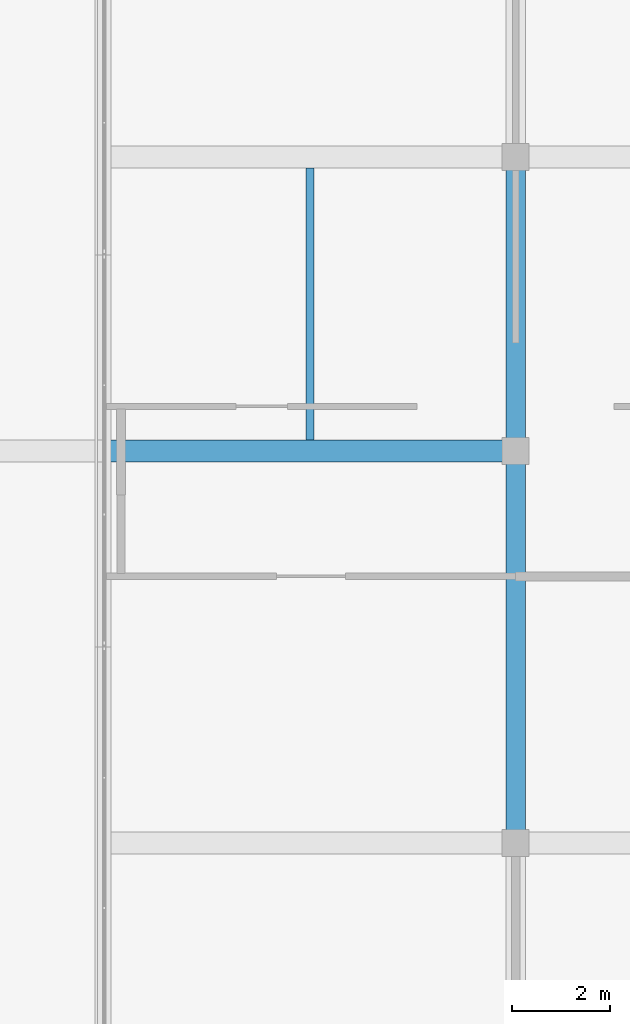
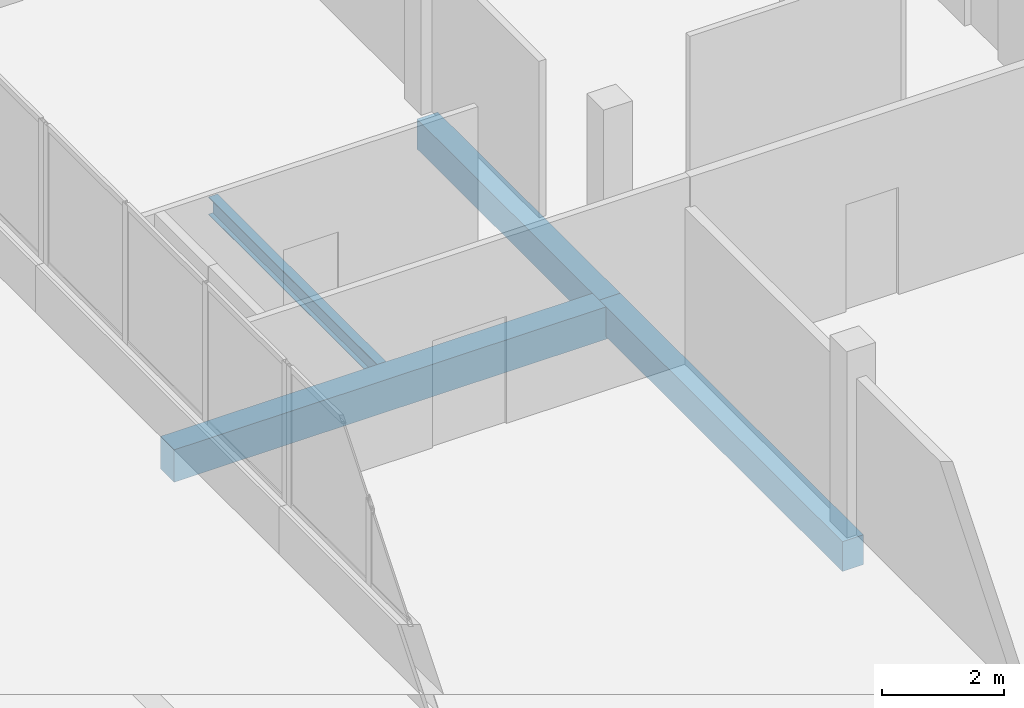
# One storey, part 13 of 67: 4 beams.
"""IFC4 building model written with IfcOpenShell, lengths in metres."""

from ifc_helpers import new_model, si_unit, direction, frame, origin, origin_2d, place, context, subcontext, project, spatial, rectangle, i_section, extrude, material, material_profile, profile_set, type_object, element, save


model = new_model("IFC4")

# Units and contexts
model_context = context("Model", 3, precision=1e-05, world=origin(), true_north=direction((0.0, 1.0)))
body_context = subcontext(model_context, "Body", "Model", "MODEL_VIEW")
ifc_project = project(units=[si_unit("LENGTHUNIT", "METRE"), si_unit("AREAUNIT", "SQUARE_METRE"), si_unit("VOLUMEUNIT", "CUBIC_METRE"), si_unit("PLANEANGLEUNIT", "RADIAN"), si_unit("MASSUNIT", "GRAM", prefix="KILO")], contexts=[model_context])

# Site, building, storey
site_placement = place(None, origin())
site = spatial("IfcSite", under=ifc_project, at=site_placement, CompositionType="ELEMENT")
building_placement = place(site_placement, origin())
building = spatial("IfcBuilding", under=site, at=building_placement, Name="Selatvlak General Hospital", CompositionType="ELEMENT")
storey_placement = place(building_placement, frame((0.0, 0.0, 35.39990234375)))
storey = spatial("IfcBuildingStorey", under=building, at=storey_placement, Name="L08", CompositionType="ELEMENT", Elevation=35.39990234375)

# Beams
ifc_material_1 = material(Name="Concrete C40/50", Category="concrete")
ifc_material_profile_1 = material_profile(ifc_material_1, rectangle(XDim=0.449951171875, YDim=0.64990234375, at=origin_2d()), Name="RC-BM 450x650")
ifc_profile_set_1 = profile_set([ifc_material_profile_1], Name="Concrete C40/50")
beam_type_1 = type_object("IfcBeamType", Name="BM-G04", PredefinedType="BEAM", material=ifc_profile_set_1)
beam_1_placement = place(storey_placement, frame((31.199951171875, 108.0, -0.58984375), z_axis=(1.0, 0.0, 0.0), x_axis=(0.0, 1.0, 0.0)))
element("IfcBeam", 1, at=beam_1_placement, inside=storey, type_object=beam_type_1, Name="Beam BMR-L08-2609", PredefinedType="BEAM", context=body_context, shape_type="SweptSolid", body=[
    extrude(rectangle(XDim=0.449951171875, YDim=0.64990234375, at=origin_2d()), origin(), (0.0, 0.0, 1.0), 8.400146484375),
])
ifc_material_profile_2 = material_profile(ifc_material_1, rectangle(XDim=0.39990234375, YDim=0.60009765625, at=origin_2d()), Name="RC-BM 400x600")
ifc_profile_set_2 = profile_set([ifc_material_profile_2], Name="Concrete C40/50")
beam_type_2 = type_object("IfcBeamType", Name="BM-G05", PredefinedType="BEAM", material=ifc_profile_set_2)
beam_2_placement = place(storey_placement, frame((39.60009765625, 100.0, -0.56494140625), z_axis=(0.0, 1.0, 0.0), x_axis=(-1.0, 0.0, 0.0)))
element("IfcBeam", 2, at=beam_2_placement, inside=storey, type_object=beam_type_2, Name="Beam BMR-L08-2641", PredefinedType="BEAM", context=body_context, shape_type="SweptSolid", body=[
    extrude(rectangle(XDim=0.39990234375, YDim=0.60009765625, at=origin_2d()), origin(), (0.0, 0.0, 1.0), 8.0),
])
beam_3_placement = place(storey_placement, frame((39.60009765625, 108.0, -0.56494140625), z_axis=(0.0, 1.0, 0.0), x_axis=(-1.0, 0.0, 0.0)))
element("IfcBeam", 3, at=beam_3_placement, inside=storey, type_object=beam_type_2, Name="Beam BMR-L08-2642", PredefinedType="BEAM", context=body_context, shape_type="SweptSolid", body=[
    extrude(rectangle(XDim=0.39990234375, YDim=0.60009765625, at=origin_2d()), origin(), (0.0, 0.0, 1.0), 6.0),
])
ifc_material_2 = material(Name="Steel S355", Category="steel")
ifc_material_profile_3 = material_profile(ifc_material_2, i_section(OverallWidth=0.17138671875, OverallDepth=0.35498046875, WebThickness=0.00732421875, FlangeThickness=0.011474609375, at=origin_2d()), Name="UB 356x171x51")
ifc_profile_set_3 = profile_set([ifc_material_profile_3], Name="Steel S355")
beam_type_3 = type_object("IfcBeamType", Name="BM-J05", PredefinedType="JOIST", material=ifc_profile_set_3)
beam_4_placement = place(storey_placement, frame((35.39990234375, 108.22509765625, -0.44287109375), z_axis=(0.0, 1.0, 0.0), x_axis=(-1.0, 0.0, 0.0)))
element("IfcBeam", 4, at=beam_4_placement, inside=storey, type_object=beam_type_3, Name="Beam BMR-L08-2715", PredefinedType="JOIST", context=body_context, shape_type="SweptSolid", body=[
    extrude(i_section(OverallWidth=0.17138671875, OverallDepth=0.35498046875, WebThickness=0.00732421875, FlangeThickness=0.011474609375, at=origin_2d()), origin(), (0.0, 0.0, 1.0), 5.5498046875),
])

save(model, "model.ifc")
